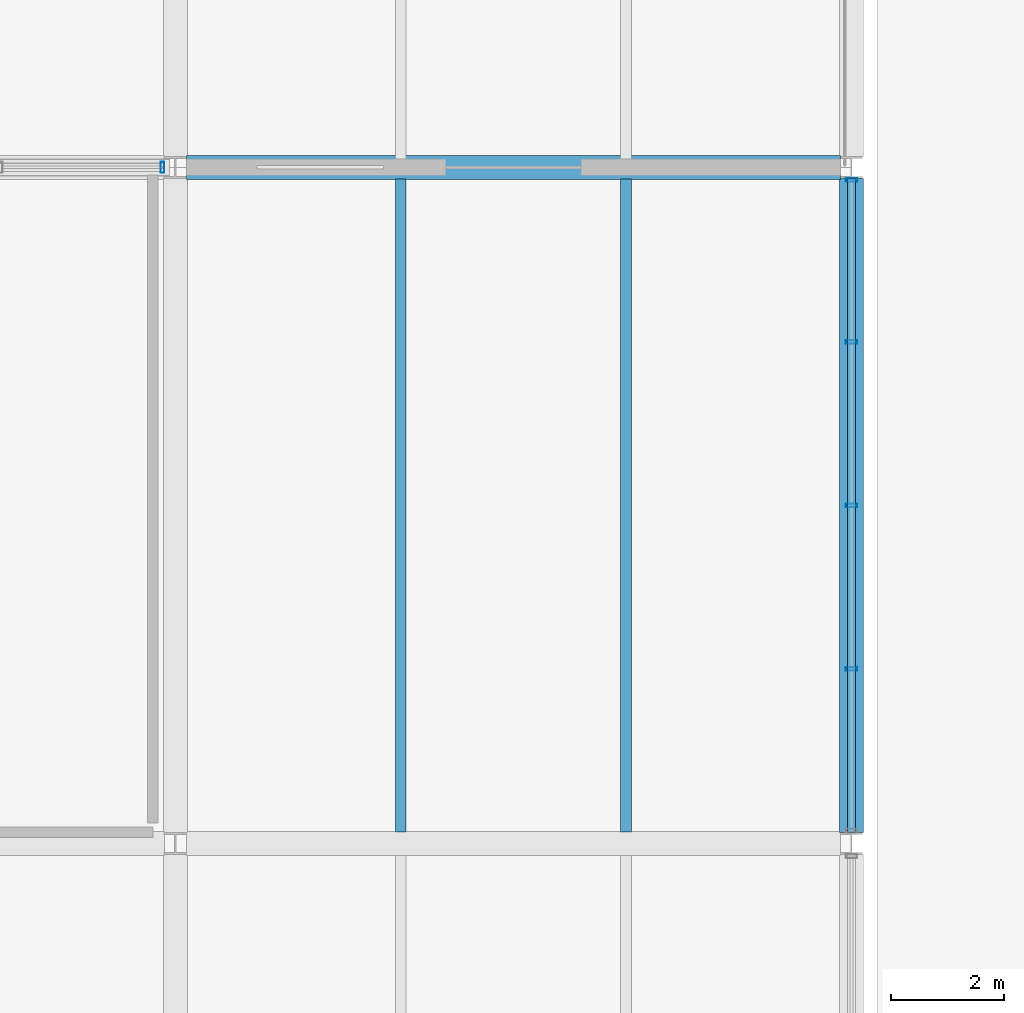
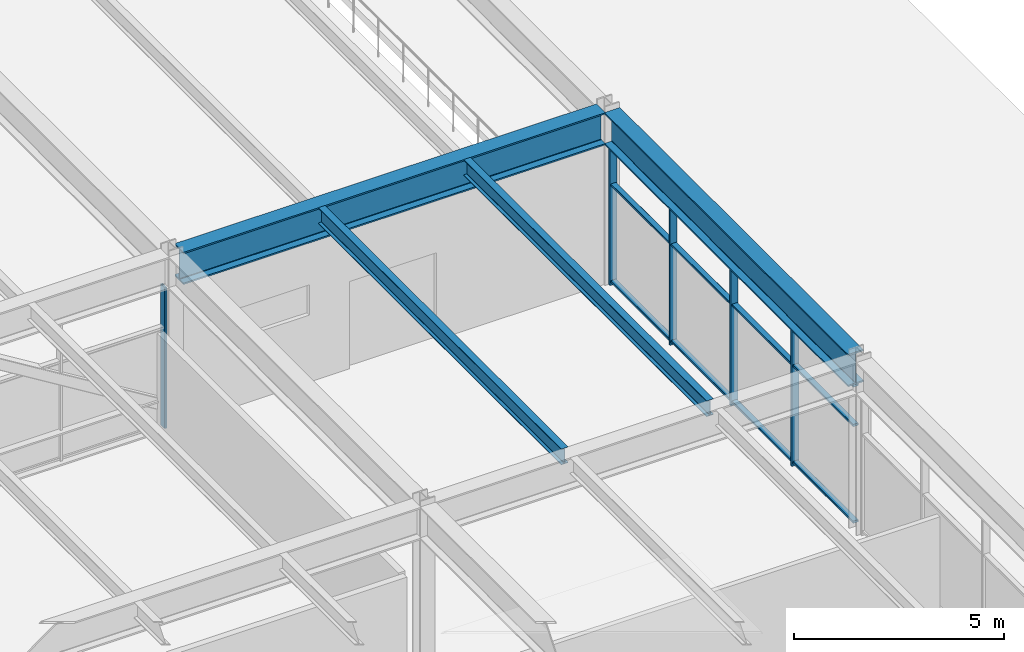
# One storey, part 31 of 42: 8 members, 4 beams, 2 elements without a shape of their own.
"""IFC4 building model written with IfcOpenShell, lengths in metres."""

from ifc_helpers import new_model, si_unit, direction, frame, origin, origin_2d, place, context, subcontext, project, spatial, hollow_rectangle, i_section, extrude, material, material_profile, profile_set, type_object, element, aggregate, save


model = new_model("IFC4")

# Units and contexts
model_context = context("Model", 3, precision=1e-05, world=origin(), true_north=direction((0.0, 1.0)))
body_context = subcontext(model_context, "Body", "Model", "MODEL_VIEW")
ifc_project = project(units=[si_unit("LENGTHUNIT", "METRE"), si_unit("AREAUNIT", "SQUARE_METRE"), si_unit("VOLUMEUNIT", "CUBIC_METRE"), si_unit("PLANEANGLEUNIT", "RADIAN"), si_unit("MASSUNIT", "GRAM", prefix="KILO")], contexts=[model_context])

# Site, building, storey
site_placement = place(None, origin())
site = spatial("IfcSite", under=ifc_project, at=site_placement, CompositionType="ELEMENT")
building_placement = place(site_placement, origin())
building = spatial("IfcBuilding", under=site, at=building_placement, Name="Girod Span Mobility Hub", CompositionType="ELEMENT")
storey_placement = place(building_placement, frame((0.0, 0.0, 32.39990234375)))
storey = spatial("IfcBuildingStorey", under=building, at=storey_placement, Name="L08", CompositionType="ELEMENT", Elevation=32.39990234375)

# Beams
ifc_material_1 = material(Name="Steel A992 Grade 50", Category="steel")
ifc_material_profile_1 = material_profile(ifc_material_1, i_section(OverallWidth=0.19189453125, OverallDepth=0.462890625, WebThickness=0.010498046875, FlangeThickness=0.017578125, FilletRadius=0.013916015625, at=origin_2d()), Name="W18X60")
ifc_profile_set_1 = profile_set([ifc_material_profile_1], Name="Steel A992 Grade 50")
beam_type_1 = type_object("IfcBeamType", Name="BM-STL-W18X60", PredefinedType="BEAM", material=ifc_profile_set_1)
for number, where, z_axis, x_axis, name in (
    (1, (136.0, 57.20849609375, 4.80859375), (0.0, 1.0, 0.0), (-1.0, 0.0, 0.0), "Composite Floorbeam 12/E-1 L08"),
    (2, (140.0, 57.20849609375, 4.80859375), (0.0, 1.0, 0.0), (-1.0, 0.0, 0.0), "Composite Floorbeam 12/E-2 L08"),
):
    element("IfcBeam", number, at=place(storey_placement, frame(where, z_axis=z_axis, x_axis=x_axis)), inside=storey, type_object=beam_type_1, Name=name, PredefinedType="BEAM", context=body_context, shape_type="SweptSolid", body=[
        extrude(i_section(OverallWidth=0.19189453125, OverallDepth=0.462890625, WebThickness=0.010498046875, FlangeThickness=0.017578125, FilletRadius=0.013916015625, at=origin_2d()), origin(), (0.0, 0.0, 1.0), 11.5830078125),
    ])
ifc_material_2 = material(Name="Steel A992 Grade 50", Category="steel")
ifc_material_profile_2 = material_profile(ifc_material_2, i_section(OverallWidth=0.423095703125, OverallDepth=0.93994140625, WebThickness=0.02392578125, FlangeThickness=0.042724609375, FilletRadius=0.02392578125, at=origin_2d()), Name="W36X302")
ifc_profile_set_2 = profile_set([ifc_material_profile_2], Name="Steel A992 Grade 50")
beam_type_2 = type_object("IfcBeamType", Name="BM-STL-W36X302", PredefinedType="BEAM", material=ifc_profile_set_2)
beam_1_placement = place(storey_placement, frame((132.196533203125, 69.0, 4.570068359375), z_axis=(1.0, 0.0, 0.0), x_axis=(0.0, 1.0, 0.0)))
element("IfcBeam", 3, at=beam_1_placement, inside=storey, type_object=beam_type_2, Name="Girder 12-13/F L08", PredefinedType="BEAM", context=body_context, shape_type="SweptSolid", body=[
    extrude(i_section(OverallWidth=0.423095703125, OverallDepth=0.93994140625, WebThickness=0.02392578125, FlangeThickness=0.042724609375, FilletRadius=0.02392578125, at=origin_2d()), origin(), (0.0, 0.0, 1.0), 11.60693359375),
])
beam_2_placement = place(storey_placement, frame((144.0, 57.193603515625, 4.570068359375), z_axis=(0.0, 1.0, 0.0), x_axis=(-1.0, 0.0, 0.0)))
element("IfcBeam", 4, at=beam_2_placement, inside=storey, type_object=beam_type_2, Name="Tie Girder 13/E-F L08", PredefinedType="BEAM", context=body_context, shape_type="SweptSolid", body=[
    extrude(i_section(OverallWidth=0.423095703125, OverallDepth=0.93994140625, WebThickness=0.02392578125, FlangeThickness=0.042724609375, FilletRadius=0.02392578125, at=origin_2d()), origin(), (0.0, 0.0, 1.0), 11.61279296875),
])

# Curtain wall, member
ifc_material_3 = material(Name="Thermally Broken Anodised Aluminium", Category="aluminium")
curtain_wall_type_1 = type_object("IfcCurtainWallType", Name="CW-1160X410", PredefinedType="USERDEFINED", material=ifc_material_3)
curtain_wall_1_placement = place(storey_placement, origin())
curtain_wall_1 = element("IfcCurtainWall", 5, at=curtain_wall_1_placement, inside=storey, type_object=curtain_wall_type_1, Name="Unitised Curtain Wall CW-L08-N11 L08", ObjectType="UNITISED CURTAIN WALL", PredefinedType="USERDEFINED")
ifc_material_4 = material(Name="Thermally Broken Anodised Aluminium", Category="aluminium")
ifc_material_profile_3 = material_profile(ifc_material_4, hollow_rectangle(XDim=0.199951171875, YDim=0.06494140625, WallThickness=0.00390625, InnerFilletRadius=0.00390625, OuterFilletRadius=0.008056640625, at=origin_2d()), Name="CW-ML-65X200")
ifc_profile_set_3 = profile_set([ifc_material_profile_3], Name="Thermally Broken Anodised Aluminium")
member_type_1 = type_object("IfcMemberType", Name="CWM-ML-1", PredefinedType="MULLION", material=ifc_profile_set_3)
member_1_placement = place(storey_placement, frame((131.7705078125, 69.0, 0.0), z_axis=(0.0, 0.0, 1.0), x_axis=(0.0, 1.0, 0.0)))
member_1 = element("IfcMember", 6, at=member_1_placement, type_object=member_type_1, Name="Curtain Wall Mullion CW-L08-N11-M4", PredefinedType="MULLION", context=body_context, shape_type="SweptSolid", body=[
    extrude(hollow_rectangle(XDim=0.199951171875, YDim=0.06494140625, WallThickness=0.00390625, InnerFilletRadius=0.00390625, OuterFilletRadius=0.008056640625, at=origin_2d()), origin(), (0.0, 0.0, 1.0), 4.10009765625),
])
aggregate(curtain_wall_1, [member_1])

# Curtain wall, members
ifc_material_5 = material(Name="Thermally Broken Anodised Aluminium", Category="aluminium")
curtain_wall_type_2 = type_object("IfcCurtainWallType", Name="CW-1161X410", PredefinedType="USERDEFINED", material=ifc_material_5)
curtain_wall_2_placement = place(storey_placement, origin())
curtain_wall_2 = element("IfcCurtainWall", 7, at=curtain_wall_2_placement, inside=storey, type_object=curtain_wall_type_2, Name="Unitised Curtain Wall CW-L08-EE L08", ObjectType="UNITISED CURTAIN WALL", PredefinedType="USERDEFINED")
member_2_placement = place(storey_placement, frame((144.0, 60.09716796875, 0.0), z_axis=(0.0, 0.0, 1.0), x_axis=(1.0, 0.0, 0.0)))
member_2 = element("IfcMember", 8, at=member_2_placement, type_object=member_type_1, Name="Curtain Wall Mullion CW-L08-EE-M1", PredefinedType="MULLION", context=body_context, shape_type="SweptSolid", body=[
    extrude(hollow_rectangle(XDim=0.199951171875, YDim=0.06494140625, WallThickness=0.00390625, InnerFilletRadius=0.00390625, OuterFilletRadius=0.008056640625, at=origin_2d()), origin(), (0.0, 0.0, 1.0), 4.10009765625),
])
member_3_placement = place(storey_placement, frame((144.0, 63.0, 0.0), z_axis=(0.0, 0.0, 1.0), x_axis=(1.0, 0.0, 0.0)))
member_3 = element("IfcMember", 9, at=member_3_placement, type_object=member_type_1, Name="Curtain Wall Mullion CW-L08-EE-M2", PredefinedType="MULLION", context=body_context, shape_type="SweptSolid", body=[
    extrude(hollow_rectangle(XDim=0.199951171875, YDim=0.06494140625, WallThickness=0.00390625, InnerFilletRadius=0.00390625, OuterFilletRadius=0.008056640625, at=origin_2d()), origin(), (0.0, 0.0, 1.0), 4.10009765625),
])
member_4_placement = place(storey_placement, frame((144.0, 65.902587890625, 0.0), z_axis=(0.0, 0.0, 1.0), x_axis=(1.0, 0.0, 0.0)))
member_4 = element("IfcMember", 10, at=member_4_placement, type_object=member_type_1, Name="Curtain Wall Mullion CW-L08-EE-M3", PredefinedType="MULLION", context=body_context, shape_type="SweptSolid", body=[
    extrude(hollow_rectangle(XDim=0.199951171875, YDim=0.06494140625, WallThickness=0.00390625, InnerFilletRadius=0.00390625, OuterFilletRadius=0.008056640625, at=origin_2d()), origin(), (0.0, 0.0, 1.0), 4.10009765625),
])
member_5_placement = place(storey_placement, frame((144.0, 68.7734375, 0.0), z_axis=(0.0, 0.0, 1.0), x_axis=(1.0, 0.0, 0.0)))
member_5 = element("IfcMember", 11, at=member_5_placement, type_object=member_type_1, Name="Curtain Wall Mullion CW-L08-EE-M4", PredefinedType="MULLION", context=body_context, shape_type="SweptSolid", body=[
    extrude(hollow_rectangle(XDim=0.199951171875, YDim=0.06494140625, WallThickness=0.00390625, InnerFilletRadius=0.00390625, OuterFilletRadius=0.008056640625, at=origin_2d()), origin(), (0.0, 0.0, 1.0), 4.10009765625),
])
ifc_material_6 = material(Name="Thermally Broken Anodised Aluminium", Category="aluminium")
ifc_material_profile_4 = material_profile(ifc_material_6, hollow_rectangle(XDim=0.14990234375, YDim=0.06494140625, WallThickness=0.00390625, InnerFilletRadius=0.00390625, OuterFilletRadius=0.008056640625, at=origin_2d()), Name="CW-TR-65X150")
ifc_profile_set_4 = profile_set([ifc_material_profile_4], Name="Thermally Broken Anodised Aluminium")
member_type_2 = type_object("IfcMemberType", Name="CWM-TR-1", PredefinedType="USERDEFINED", material=ifc_profile_set_4)
member_6_placement = place(storey_placement, frame((144.0, 57.194580078125, 0.107666015625), z_axis=(0.0, 1.0, 0.0), x_axis=(-1.0, 0.0, 0.0)))
member_6 = element("IfcMember", 12, at=member_6_placement, type_object=member_type_2, Name="Curtain Wall Transom CW-L08-EE-T1", ObjectType="TRANSOM", PredefinedType="USERDEFINED", context=body_context, shape_type="SweptSolid", body=[
    extrude(hollow_rectangle(XDim=0.14990234375, YDim=0.06494140625, WallThickness=0.00390625, InnerFilletRadius=0.00390625, OuterFilletRadius=0.008056640625, at=origin_2d()), origin(), (0.0, 0.0, 1.0), 11.61083984375),
])
member_7_placement = place(storey_placement, frame((144.0, 57.194580078125, 2.919677734375), z_axis=(0.0, 1.0, 0.0), x_axis=(-1.0, 0.0, 0.0)))
member_7 = element("IfcMember", 13, at=member_7_placement, type_object=member_type_2, Name="Curtain Wall Transom CW-L08-EE-T2", ObjectType="TRANSOM", PredefinedType="USERDEFINED", context=body_context, shape_type="SweptSolid", body=[
    extrude(hollow_rectangle(XDim=0.14990234375, YDim=0.06494140625, WallThickness=0.00390625, InnerFilletRadius=0.00390625, OuterFilletRadius=0.008056640625, at=origin_2d()), origin(), (0.0, 0.0, 1.0), 11.61083984375),
])
member_8_placement = place(storey_placement, frame((144.0, 57.194580078125, 4.067626953125), z_axis=(0.0, 1.0, 0.0), x_axis=(-1.0, 0.0, 0.0)))
member_8 = element("IfcMember", 14, at=member_8_placement, type_object=member_type_2, Name="Curtain Wall Transom CW-L08-EE-T3", ObjectType="TRANSOM", PredefinedType="USERDEFINED", context=body_context, shape_type="SweptSolid", body=[
    extrude(hollow_rectangle(XDim=0.14990234375, YDim=0.06494140625, WallThickness=0.00390625, InnerFilletRadius=0.00390625, OuterFilletRadius=0.008056640625, at=origin_2d()), origin(), (0.0, 0.0, 1.0), 11.61083984375),
])
aggregate(curtain_wall_2, [member_2, member_3, member_4, member_5, member_6, member_7, member_8])

save(model, "model.ifc")
